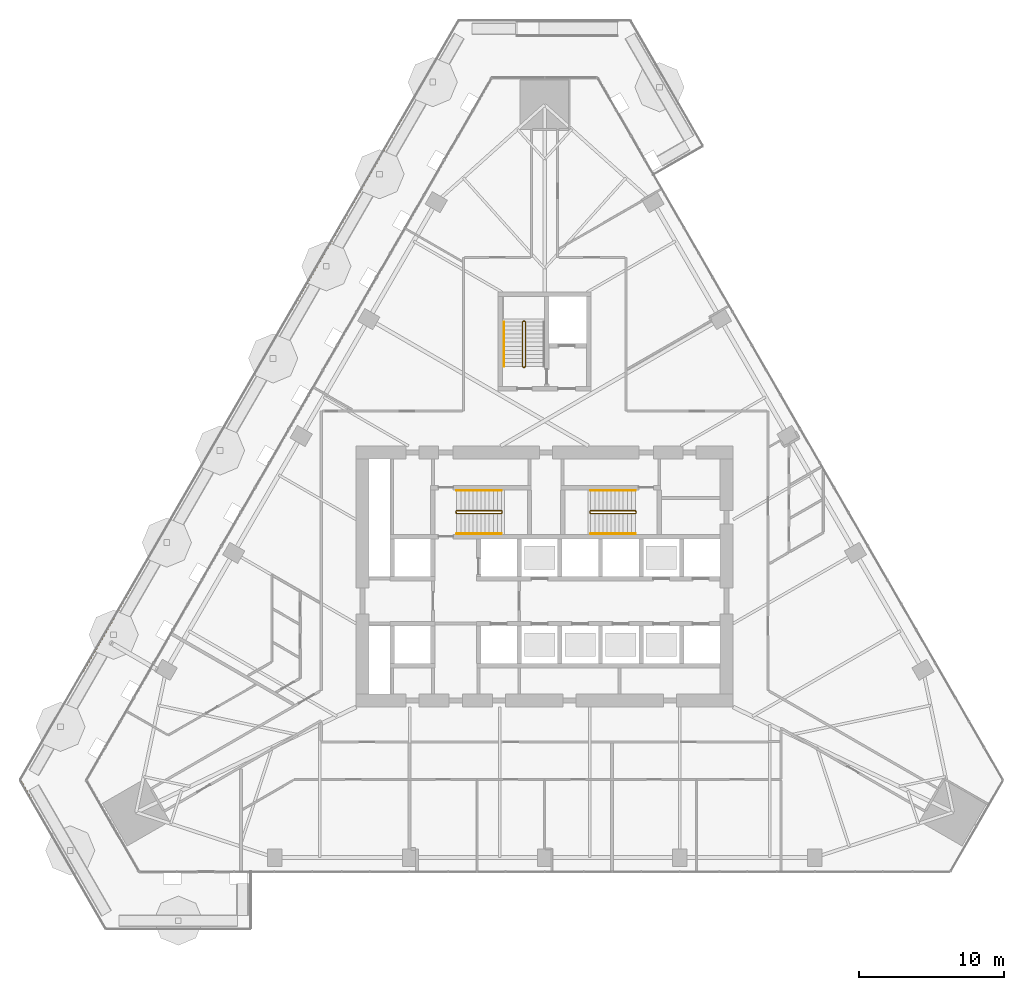
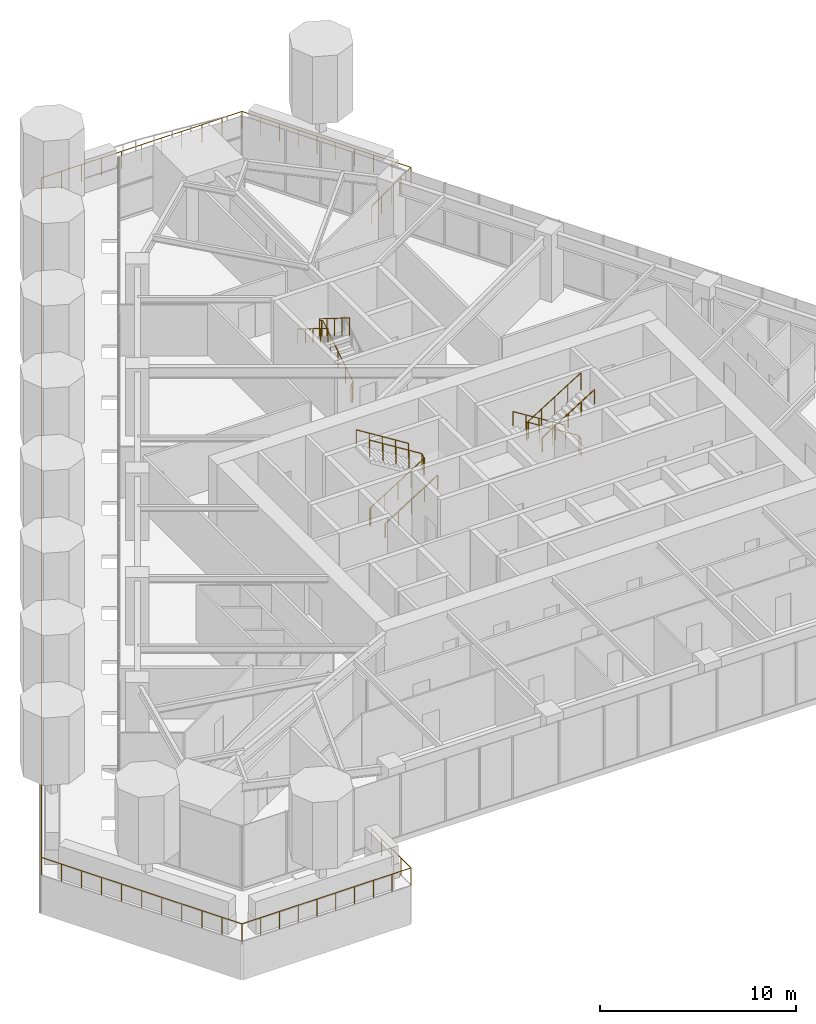
# One storey, part 22 of 25: 9 railings.
"""IFC4 building model written with IfcOpenShell, lengths in metres."""

from ifc_helpers import new_model, si_unit, direction, frame, origin, origin_2d, place, context, subcontext, project, spatial, circle, extrude, material, type_object, element, save


model = new_model("IFC4")

# Units and contexts
model_context = context("Model", 3, precision=1e-05, world=origin(), true_north=direction((0.0, 1.0)))
body_context = subcontext(model_context, "Body", "Model", "MODEL_VIEW")
ifc_project = project(units=[si_unit("LENGTHUNIT", "METRE"), si_unit("AREAUNIT", "SQUARE_METRE"), si_unit("VOLUMEUNIT", "CUBIC_METRE"), si_unit("PLANEANGLEUNIT", "RADIAN"), si_unit("MASSUNIT", "GRAM", prefix="KILO")], contexts=[model_context])

# Site, building, storey
site_placement = place(None, origin())
site = spatial("IfcSite", under=ifc_project, at=site_placement, CompositionType="ELEMENT")
building_placement = place(site_placement, origin())
building = spatial("IfcBuilding", under=site, at=building_placement, Name="Firuza Gate Tower and Library", CompositionType="ELEMENT")
storey_placement = place(building_placement, frame((0.0, 0.0, 119.800048828125)))
storey = spatial("IfcBuildingStorey", under=building, at=storey_placement, Name="L27", CompositionType="ELEMENT", Elevation=119.800048828125)

# Railings
ifc_material_1 = material(Name="Steel S355", Category="steel")
railing_type_1 = type_object("IfcRailingType", Name="Stair guard 1100", PredefinedType="GUARDRAIL", material=ifc_material_1)
railing_1_placement = place(storey_placement, frame((68.889892578125, 79.389892578125, 0.0)))
element("IfcRailing", 1, at=railing_1_placement, inside=storey, type_object=railing_type_1, Name="L27 ST1 stair guard 1", PredefinedType="GUARDRAIL", context=body_context, shape_type="SweptSolid", body=[
    extrude(circle(Radius=0.02392578125, at=origin_2d()), frame((0.0, 0.0, 1.076171875), z_axis=(0.0, 1.0, 0.0), x_axis=(-1.0, 0.0, 0.0)), (0.0, 0.0, 1.0), 0.10009765625),
    extrude(circle(Radius=0.02392578125, at=origin_2d()), frame((0.0, 0.10009765625, 1.076171875), z_axis=(0.21222055169, -0.635626432867, 0.742254319813), x_axis=(0.948528701346, 0.316691178788, 0.0)), (0.0, 0.0, 1.0), 0.23583984375),
    extrude(circle(Radius=0.02392578125, at=origin_2d()), frame((0.050048828125, -0.0498046875, 1.2509765625), z_axis=(0.848028513186, 0.0, 0.529950602248), x_axis=(0.0, 1.0, 0.0)), (0.0, 0.0, 1.0), 3.632080078125),
    extrude(circle(Radius=0.02392578125, at=origin_2d()), frame((3.130126953125, -0.0498046875, 3.17578125), z_axis=(0.708833529934, 0.705375805398, 0.0), x_axis=(-0.705375805398, 0.708833529934, 0.0)), (0.0, 0.0, 1.0), 0.070556640625),
    extrude(circle(Radius=0.02392578125, at=origin_2d()), frame((3.18017578125, 0.0, 3.17578125), z_axis=(0.0, 1.0, 0.0), x_axis=(-1.0, 0.0, 0.0)), (0.0, 0.0, 1.0), 0.10009765625),
    extrude(circle(Radius=0.02392578125, at=origin_2d()), frame((3.18017578125, 0.10009765625, 3.17578125), z_axis=(-0.265065253269, 0.265065253269, 0.927081885822), x_axis=(-0.707106781187, -0.707106781187, 0.0)), (0.0, 0.0, 1.0), 0.188720703125),
    extrude(circle(Radius=0.02392578125, at=origin_2d()), frame((3.130126953125, 0.150146484375, 3.35107421875), z_axis=(-0.847998304005, 0.0, 0.529998940003), x_axis=(0.0, -1.0, 0.0)), (0.0, 0.0, 1.0), 3.632080078125),
    extrude(circle(Radius=0.02099609375, at=origin_2d()), origin(), (0.0, 0.0, 1.0), 1.052001953125),
    extrude(circle(Radius=0.02099609375, at=origin_2d()), frame((0.0, 0.10009765625, 0.0)), (0.0, 0.0, 1.0), 1.052001953125),
    extrude(circle(Radius=0.02099609375, at=origin_2d()), frame((0.050048828125, -0.0498046875, 0.175048828125)), (0.0, 0.0, 1.0), 1.052001953125),
    extrude(circle(Radius=0.02099609375, at=origin_2d()), frame((0.820068359375, -0.0498046875, 0.65625)), (0.0, 0.0, 1.0), 1.052001953125),
    extrude(circle(Radius=0.02099609375, at=origin_2d()), frame((1.590087890625, -0.0498046875, 1.137451171875)), (0.0, 0.0, 1.0), 1.052001953125),
    extrude(circle(Radius=0.02099609375, at=origin_2d()), frame((2.360107421875, -0.0498046875, 1.61865234375)), (0.0, 0.0, 1.0), 1.052001953125),
    extrude(circle(Radius=0.02099609375, at=origin_2d()), frame((3.130126953125, -0.0498046875, 2.099853515625)), (0.0, 0.0, 1.0), 1.052001953125),
    extrude(circle(Radius=0.02099609375, at=origin_2d()), frame((3.18017578125, 0.0, 2.099853515625)), (0.0, 0.0, 1.0), 1.052001953125),
    extrude(circle(Radius=0.02099609375, at=origin_2d()), frame((3.18017578125, 0.10009765625, 2.099853515625)), (0.0, 0.0, 1.0), 1.052001953125),
    extrude(circle(Radius=0.02099609375, at=origin_2d()), frame((3.130126953125, 0.150146484375, 2.27490234375)), (0.0, 0.0, 1.0), 1.052001953125),
    extrude(circle(Radius=0.02099609375, at=origin_2d()), frame((2.360107421875, 0.150146484375, 2.756103515625)), (0.0, 0.0, 1.0), 1.052001953125),
    extrude(circle(Radius=0.02099609375, at=origin_2d()), frame((1.590087890625, 0.150146484375, 3.2373046875)), (0.0, 0.0, 1.0), 1.052001953125),
    extrude(circle(Radius=0.02099609375, at=origin_2d()), frame((0.820068359375, 0.150146484375, 3.71875)), (0.0, 0.0, 1.0), 1.052001953125),
    extrude(circle(Radius=0.02099609375, at=origin_2d()), frame((0.050048828125, 0.150146484375, 4.199951171875)), (0.0, 0.0, 1.0), 1.052001953125),
])
railing_2_placement = place(storey_placement, frame((81.31005859375, 79.489990234375, 0.0)))
element("IfcRailing", 2, at=railing_2_placement, inside=storey, type_object=railing_type_1, Name="L27 ST2 stair guard 1", PredefinedType="GUARDRAIL", context=body_context, shape_type="SweptSolid", body=[
    extrude(circle(Radius=0.02392578125, at=origin_2d()), frame((0.0, 0.0, 1.076171875), z_axis=(0.0, -1.0, 0.0), x_axis=(1.0, 0.0, 0.0)), (0.0, 0.0, 1.0), 0.10009765625),
    extrude(circle(Radius=0.02392578125, at=origin_2d()), frame((0.0, -0.10009765625, 1.076171875), z_axis=(-0.212080931658, 0.636242794973, 0.741765990237), x_axis=(-0.948683298051, -0.316227766017, 0.0)), (0.0, 0.0, 1.0), 0.236083984375),
    extrude(circle(Radius=0.02392578125, at=origin_2d()), frame((-0.050048828125, 0.050048828125, 1.2509765625), z_axis=(-0.848028513186, 0.0, 0.529950602248), x_axis=(0.0, -1.0, 0.0)), (0.0, 0.0, 1.0), 3.632080078125),
    extrude(circle(Radius=0.02392578125, at=origin_2d()), frame((-3.130126953125, 0.050048828125, 3.17578125), z_axis=(-0.707106781187, -0.707106781187, 0.0), x_axis=(0.707106781187, -0.707106781187, 0.0)), (0.0, 0.0, 1.0), 0.07080078125),
    extrude(circle(Radius=0.02392578125, at=origin_2d()), frame((-3.18017578125, 0.0, 3.17578125), z_axis=(0.0, -1.0, 0.0), x_axis=(1.0, 0.0, 0.0)), (0.0, 0.0, 1.0), 0.10009765625),
    extrude(circle(Radius=0.02392578125, at=origin_2d()), frame((-3.18017578125, -0.10009765625, 3.17578125), z_axis=(0.265155923931, -0.263862480399, 0.927399011991), x_axis=(0.705375805398, 0.708833529934, 0.0)), (0.0, 0.0, 1.0), 0.188720703125),
    extrude(circle(Radius=0.02392578125, at=origin_2d()), frame((-3.130126953125, -0.14990234375, 3.35107421875), z_axis=(0.847998304005, 0.0, 0.529998940003), x_axis=(0.0, 1.0, 0.0)), (0.0, 0.0, 1.0), 3.632080078125),
    extrude(circle(Radius=0.02099609375, at=origin_2d()), origin(), (0.0, 0.0, 1.0), 1.052001953125),
    extrude(circle(Radius=0.02099609375, at=origin_2d()), frame((0.0, -0.10009765625, 0.0)), (0.0, 0.0, 1.0), 1.052001953125),
    extrude(circle(Radius=0.02099609375, at=origin_2d()), frame((-0.050048828125, 0.050048828125, 0.175048828125)), (0.0, 0.0, 1.0), 1.052001953125),
    extrude(circle(Radius=0.02099609375, at=origin_2d()), frame((-0.820068359375, 0.050048828125, 0.65625)), (0.0, 0.0, 1.0), 1.052001953125),
    extrude(circle(Radius=0.02099609375, at=origin_2d()), frame((-1.590087890625, 0.050048828125, 1.137451171875)), (0.0, 0.0, 1.0), 1.052001953125),
    extrude(circle(Radius=0.02099609375, at=origin_2d()), frame((-2.360107421875, 0.050048828125, 1.61865234375)), (0.0, 0.0, 1.0), 1.052001953125),
    extrude(circle(Radius=0.02099609375, at=origin_2d()), frame((-3.130126953125, 0.050048828125, 2.099853515625)), (0.0, 0.0, 1.0), 1.052001953125),
    extrude(circle(Radius=0.02099609375, at=origin_2d()), frame((-3.18017578125, 0.0, 2.099853515625)), (0.0, 0.0, 1.0), 1.052001953125),
    extrude(circle(Radius=0.02099609375, at=origin_2d()), frame((-3.18017578125, -0.10009765625, 2.099853515625)), (0.0, 0.0, 1.0), 1.052001953125),
    extrude(circle(Radius=0.02099609375, at=origin_2d()), frame((-3.130126953125, -0.14990234375, 2.27490234375)), (0.0, 0.0, 1.0), 1.052001953125),
    extrude(circle(Radius=0.02099609375, at=origin_2d()), frame((-2.360107421875, -0.14990234375, 2.756103515625)), (0.0, 0.0, 1.0), 1.052001953125),
    extrude(circle(Radius=0.02099609375, at=origin_2d()), frame((-1.590087890625, -0.14990234375, 3.2373046875)), (0.0, 0.0, 1.0), 1.052001953125),
    extrude(circle(Radius=0.02099609375, at=origin_2d()), frame((-0.820068359375, -0.14990234375, 3.71875)), (0.0, 0.0, 1.0), 1.052001953125),
    extrude(circle(Radius=0.02099609375, at=origin_2d()), frame((-0.050048828125, -0.14990234375, 4.199951171875)), (0.0, 0.0, 1.0), 1.052001953125),
])
railing_3_placement = place(storey_placement, frame((73.6298828125, 89.419921875, 0.0)))
element("IfcRailing", 3, at=railing_3_placement, inside=storey, type_object=railing_type_1, Name="L27 ST3 stair guard 1", PredefinedType="GUARDRAIL", context=body_context, shape_type="SweptSolid", body=[
    extrude(circle(Radius=0.02392578125, at=origin_2d()), frame((0.0, 0.0, 1.076171875), z_axis=(-1.0, 0.0, 0.0), x_axis=(0.0, -1.0, 0.0)), (0.0, 0.0, 1.0), 0.099853515625),
    extrude(circle(Radius=0.02392578125, at=origin_2d()), frame((-0.099853515625, 0.0, 1.076171875), z_axis=(0.635626432867, 0.21222055169, 0.742254319813), x_axis=(-0.316691178788, 0.948528701346, 0.0)), (0.0, 0.0, 1.0), 0.23583984375),
    extrude(circle(Radius=0.02392578125, at=origin_2d()), frame((0.050048828125, 0.050048828125, 1.2509765625), z_axis=(0.0, 0.848028513186, 0.529950602248), x_axis=(-1.0, 0.0, 0.0)), (0.0, 0.0, 1.0), 3.632080078125),
    extrude(circle(Radius=0.02392578125, at=origin_2d()), frame((0.050048828125, 3.130126953125, 3.17578125), z_axis=(-0.707106781187, 0.707106781187, 0.0), x_axis=(-0.707106781187, -0.707106781187, 0.0)), (0.0, 0.0, 1.0), 0.07080078125),
    extrude(circle(Radius=0.02392578125, at=origin_2d()), frame((0.0, 3.18017578125, 3.17578125), z_axis=(-1.0, 0.0, 0.0), x_axis=(0.0, -1.0, 0.0)), (0.0, 0.0, 1.0), 0.099853515625),
    extrude(circle(Radius=0.02392578125, at=origin_2d()), frame((-0.099853515625, 3.18017578125, 3.17578125), z_axis=(-0.265065253269, -0.265065253269, 0.927081885822), x_axis=(0.707106781187, -0.707106781187, 0.0)), (0.0, 0.0, 1.0), 0.188720703125),
    extrude(circle(Radius=0.02392578125, at=origin_2d()), frame((-0.14990234375, 3.130126953125, 3.35107421875), z_axis=(0.0, -0.847998304005, 0.529998940003), x_axis=(1.0, 0.0, 0.0)), (0.0, 0.0, 1.0), 3.632080078125),
    extrude(circle(Radius=0.02099609375, at=origin_2d()), origin(), (0.0, 0.0, 1.0), 1.052001953125),
    extrude(circle(Radius=0.02099609375, at=origin_2d()), frame((-0.099853515625, 0.0, 0.0)), (0.0, 0.0, 1.0), 1.052001953125),
    extrude(circle(Radius=0.02099609375, at=origin_2d()), frame((0.050048828125, 0.050048828125, 0.175048828125)), (0.0, 0.0, 1.0), 1.052001953125),
    extrude(circle(Radius=0.02099609375, at=origin_2d()), frame((0.050048828125, 0.820068359375, 0.65625)), (0.0, 0.0, 1.0), 1.052001953125),
    extrude(circle(Radius=0.02099609375, at=origin_2d()), frame((0.050048828125, 1.590087890625, 1.137451171875)), (0.0, 0.0, 1.0), 1.052001953125),
    extrude(circle(Radius=0.02099609375, at=origin_2d()), frame((0.050048828125, 2.360107421875, 1.61865234375)), (0.0, 0.0, 1.0), 1.052001953125),
    extrude(circle(Radius=0.02099609375, at=origin_2d()), frame((0.050048828125, 3.130126953125, 2.099853515625)), (0.0, 0.0, 1.0), 1.052001953125),
    extrude(circle(Radius=0.02099609375, at=origin_2d()), frame((0.0, 3.18017578125, 2.099853515625)), (0.0, 0.0, 1.0), 1.052001953125),
    extrude(circle(Radius=0.02099609375, at=origin_2d()), frame((-0.099853515625, 3.18017578125, 2.099853515625)), (0.0, 0.0, 1.0), 1.052001953125),
    extrude(circle(Radius=0.02099609375, at=origin_2d()), frame((-0.14990234375, 3.130126953125, 2.27490234375)), (0.0, 0.0, 1.0), 1.052001953125),
    extrude(circle(Radius=0.02099609375, at=origin_2d()), frame((-0.14990234375, 2.360107421875, 2.756103515625)), (0.0, 0.0, 1.0), 1.052001953125),
    extrude(circle(Radius=0.02099609375, at=origin_2d()), frame((-0.14990234375, 1.590087890625, 3.2373046875)), (0.0, 0.0, 1.0), 1.052001953125),
    extrude(circle(Radius=0.02099609375, at=origin_2d()), frame((-0.14990234375, 0.820068359375, 3.71875)), (0.0, 0.0, 1.0), 1.052001953125),
    extrude(circle(Radius=0.02099609375, at=origin_2d()), frame((-0.14990234375, 0.050048828125, 4.199951171875)), (0.0, 0.0, 1.0), 1.052001953125),
])
ifc_material_2 = material(Name="Steel S355", Category="steel")
railing_type_2 = type_object("IfcRailingType", Name="Stair handrail 900", PredefinedType="HANDRAIL", material=ifc_material_2)
railing_4_placement = place(storey_placement, frame((68.93994140625, 77.949951171875, 0.175048828125)))
element("IfcRailing", 4, at=railing_4_placement, inside=storey, type_object=railing_type_2, Name="L27 ST1 stair handrail 1", PredefinedType="HANDRAIL", context=body_context, shape_type="SweptSolid", body=[
    extrude(circle(Radius=0.02392578125, at=origin_2d()), frame((0.0, 0.0, 0.8759765625), z_axis=(0.848028513186, 0.0, 0.529950602248), x_axis=(0.0, 1.0, 0.0)), (0.0, 0.0, 1.0), 3.632080078125),
    extrude(circle(Radius=0.02099609375, at=origin_2d()), origin(), (0.0, 0.0, 1.0), 0.851806640625),
    extrude(circle(Radius=0.02099609375, at=origin_2d()), frame((0.77001953125, 0.0, 0.481201171875)), (0.0, 0.0, 1.0), 0.851806640625),
    extrude(circle(Radius=0.02099609375, at=origin_2d()), frame((1.5400390625, 0.0, 0.96240234375)), (0.0, 0.0, 1.0), 0.851806640625),
    extrude(circle(Radius=0.02099609375, at=origin_2d()), frame((2.31005859375, 0.0, 1.443603515625)), (0.0, 0.0, 1.0), 0.851806640625),
    extrude(circle(Radius=0.02099609375, at=origin_2d()), frame((3.080078125, 0.0, 1.9248046875)), (0.0, 0.0, 1.0), 0.851806640625),
])
railing_5_placement = place(storey_placement, frame((72.02001953125, 80.929931640625, 2.27490234375)))
element("IfcRailing", 5, at=railing_5_placement, inside=storey, type_object=railing_type_2, Name="L27 ST1 stair handrail 2", PredefinedType="HANDRAIL", context=body_context, shape_type="SweptSolid", body=[
    extrude(circle(Radius=0.02392578125, at=origin_2d()), frame((0.0, 0.0, 0.8759765625), z_axis=(-0.847998304005, 0.0, 0.529998940003), x_axis=(0.0, -1.0, 0.0)), (0.0, 0.0, 1.0), 3.632080078125),
    extrude(circle(Radius=0.02099609375, at=origin_2d()), origin(), (0.0, 0.0, 1.0), 0.851806640625),
    extrude(circle(Radius=0.02099609375, at=origin_2d()), frame((-0.77001953125, 0.0, 0.481201171875)), (0.0, 0.0, 1.0), 0.851806640625),
    extrude(circle(Radius=0.02099609375, at=origin_2d()), frame((-1.5400390625, 0.0, 0.96240234375)), (0.0, 0.0, 1.0), 0.851806640625),
    extrude(circle(Radius=0.02099609375, at=origin_2d()), frame((-2.31005859375, 0.0, 1.44384765625)), (0.0, 0.0, 1.0), 0.851806640625),
    extrude(circle(Radius=0.02099609375, at=origin_2d()), frame((-3.080078125, 0.0, 1.925048828125)), (0.0, 0.0, 1.0), 0.851806640625),
])
railing_6_placement = place(storey_placement, frame((81.260009765625, 80.929931640625, 0.175048828125)))
element("IfcRailing", 6, at=railing_6_placement, inside=storey, type_object=railing_type_2, Name="L27 ST2 stair handrail 1", PredefinedType="HANDRAIL", context=body_context, shape_type="SweptSolid", body=[
    extrude(circle(Radius=0.02392578125, at=origin_2d()), frame((0.0, 0.0, 0.8759765625), z_axis=(-0.848028513186, 0.0, 0.529950602248), x_axis=(0.0, -1.0, 0.0)), (0.0, 0.0, 1.0), 3.632080078125),
    extrude(circle(Radius=0.02099609375, at=origin_2d()), origin(), (0.0, 0.0, 1.0), 0.851806640625),
    extrude(circle(Radius=0.02099609375, at=origin_2d()), frame((-0.77001953125, 0.0, 0.481201171875)), (0.0, 0.0, 1.0), 0.851806640625),
    extrude(circle(Radius=0.02099609375, at=origin_2d()), frame((-1.5400390625, 0.0, 0.96240234375)), (0.0, 0.0, 1.0), 0.851806640625),
    extrude(circle(Radius=0.02099609375, at=origin_2d()), frame((-2.31005859375, 0.0, 1.443603515625)), (0.0, 0.0, 1.0), 0.851806640625),
    extrude(circle(Radius=0.02099609375, at=origin_2d()), frame((-3.080078125, 0.0, 1.9248046875)), (0.0, 0.0, 1.0), 0.851806640625),
])
railing_7_placement = place(storey_placement, frame((78.179931640625, 77.949951171875, 2.27490234375)))
element("IfcRailing", 7, at=railing_7_placement, inside=storey, type_object=railing_type_2, Name="L27 ST2 stair handrail 2", PredefinedType="HANDRAIL", context=body_context, shape_type="SweptSolid", body=[
    extrude(circle(Radius=0.02392578125, at=origin_2d()), frame((0.0, 0.0, 0.8759765625), z_axis=(0.847998304005, 0.0, 0.529998940003), x_axis=(0.0, 1.0, 0.0)), (0.0, 0.0, 1.0), 3.632080078125),
    extrude(circle(Radius=0.02099609375, at=origin_2d()), origin(), (0.0, 0.0, 1.0), 0.851806640625),
    extrude(circle(Radius=0.02099609375, at=origin_2d()), frame((0.77001953125, 0.0, 0.481201171875)), (0.0, 0.0, 1.0), 0.851806640625),
    extrude(circle(Radius=0.02099609375, at=origin_2d()), frame((1.5400390625, 0.0, 0.96240234375)), (0.0, 0.0, 1.0), 0.851806640625),
    extrude(circle(Radius=0.02099609375, at=origin_2d()), frame((2.31005859375, 0.0, 1.44384765625)), (0.0, 0.0, 1.0), 0.851806640625),
    extrude(circle(Radius=0.02099609375, at=origin_2d()), frame((3.080078125, 0.0, 1.925048828125)), (0.0, 0.0, 1.0), 0.851806640625),
])
railing_8_placement = place(storey_placement, frame((72.2099609375, 92.550048828125, 2.27490234375)))
element("IfcRailing", 8, at=railing_8_placement, inside=storey, type_object=railing_type_2, Name="L27 ST3 stair handrail 2", PredefinedType="HANDRAIL", context=body_context, shape_type="SweptSolid", body=[
    extrude(circle(Radius=0.02392578125, at=origin_2d()), frame((0.0, 0.0, 0.8759765625), z_axis=(0.0, -0.847998304005, 0.529998940003), x_axis=(1.0, 0.0, 0.0)), (0.0, 0.0, 1.0), 3.632080078125),
    extrude(circle(Radius=0.02099609375, at=origin_2d()), origin(), (0.0, 0.0, 1.0), 0.851806640625),
    extrude(circle(Radius=0.02099609375, at=origin_2d()), frame((0.0, -0.77001953125, 0.481201171875)), (0.0, 0.0, 1.0), 0.851806640625),
    extrude(circle(Radius=0.02099609375, at=origin_2d()), frame((0.0, -1.5400390625, 0.96240234375)), (0.0, 0.0, 1.0), 0.851806640625),
    extrude(circle(Radius=0.02099609375, at=origin_2d()), frame((0.0, -2.31005859375, 1.44384765625)), (0.0, 0.0, 1.0), 0.851806640625),
    extrude(circle(Radius=0.02099609375, at=origin_2d()), frame((0.0, -3.080078125, 1.925048828125)), (0.0, 0.0, 1.0), 0.851806640625),
])
ifc_material_3 = material(Name="Steel S355", Category="steel")
railing_type_3 = type_object("IfcRailingType", Name="Terrace guard 1100", PredefinedType="GUARDRAIL", material=ifc_material_3)
railing_9_placement = place(storey_placement, frame((82.420654296875, 102.694580078125, 0.0)))
element("IfcRailing", 9, at=railing_9_placement, inside=storey, type_object=railing_type_3, Name="Tray guard L27", PredefinedType="GUARDRAIL", context=body_context, shape_type="SweptSolid", body=[
    extrude(circle(Radius=0.02392578125, at=origin_2d()), frame((0.0, 0.0, 1.076171875), z_axis=(0.866026010844, 0.49999894854, 0.0), x_axis=(-0.49999894854, 0.866026010844, 0.0)), (0.0, 0.0, 1.0), 4.0),
    extrude(circle(Radius=0.02392578125, at=origin_2d()), frame((3.464111328125, 2.0, 1.076171875), z_axis=(-0.500004923278, 0.86602256131, 0.0), x_axis=(-0.86602256131, -0.500004923278, 0.0)), (0.0, 0.0, 1.0), 9.95068359375),
    extrude(circle(Radius=0.02392578125, at=origin_2d()), frame((-1.51123046875, 10.617431640625, 1.076171875), z_axis=(-1.0, 0.0, 0.0), x_axis=(0.0, -1.0, 0.0)), (0.0, 0.0, 1.0), 11.81884765625),
    extrude(circle(Radius=0.02392578125, at=origin_2d()), frame((-13.330078125, 10.617431640625, 1.076171875), z_axis=(-0.500001556431, -0.866024505177, 0.0), x_axis=(0.866024505177, -0.500001556431, 0.0)), (0.0, 0.0, 1.0), 60.448974609375),
    extrude(circle(Radius=0.02392578125, at=origin_2d()), frame((-43.5546875, -41.73291015625, 1.076171875), z_axis=(0.500002592159, -0.866023907196, 0.0), x_axis=(0.866023907196, 0.500002592159, 0.0)), (0.0, 0.0, 1.0), 11.81884765625),
    extrude(circle(Radius=0.02392578125, at=origin_2d()), frame((-37.645263671875, -51.96826171875, 1.076171875), z_axis=(1.0, 0.0, 0.0), x_axis=(0.0, 1.0, 0.0)), (0.0, 0.0, 1.0), 9.950927734375),
    extrude(circle(Radius=0.02392578125, at=origin_2d()), frame((-27.6943359375, -51.96826171875, 1.076171875), z_axis=(0.0, 1.0, 0.0), x_axis=(-1.0, 0.0, 0.0)), (0.0, 0.0, 1.0), 4.0),
    extrude(circle(Radius=0.02099609375, at=origin_2d()), origin(), (0.0, 0.0, 1.0), 1.052001953125),
    extrude(circle(Radius=0.02099609375, at=origin_2d()), frame((0.865966796875, 0.5, 0.0)), (0.0, 0.0, 1.0), 1.052001953125),
    extrude(circle(Radius=0.02099609375, at=origin_2d()), frame((1.73193359375, 1.0, 0.0)), (0.0, 0.0, 1.0), 1.052001953125),
    extrude(circle(Radius=0.02099609375, at=origin_2d()), frame((2.59814453125, 1.5, 0.0)), (0.0, 0.0, 1.0), 1.052001953125),
    extrude(circle(Radius=0.02099609375, at=origin_2d()), frame((3.464111328125, 2.0, 0.0)), (0.0, 0.0, 1.0), 1.052001953125),
    extrude(circle(Radius=0.02099609375, at=origin_2d()), frame((2.911376953125, 2.95751953125, 0.0)), (0.0, 0.0, 1.0), 1.052001953125),
    extrude(circle(Radius=0.02099609375, at=origin_2d()), frame((2.3583984375, 3.9150390625, 0.0)), (0.0, 0.0, 1.0), 1.052001953125),
    extrude(circle(Radius=0.02099609375, at=origin_2d()), frame((1.8056640625, 4.87255859375, 0.0)), (0.0, 0.0, 1.0), 1.052001953125),
    extrude(circle(Radius=0.02099609375, at=origin_2d()), frame((1.2529296875, 5.830078125, 0.0)), (0.0, 0.0, 1.0), 1.052001953125),
    extrude(circle(Radius=0.02099609375, at=origin_2d()), frame((0.699951171875, 6.787353515625, 0.0)), (0.0, 0.0, 1.0), 1.052001953125),
    extrude(circle(Radius=0.02099609375, at=origin_2d()), frame((0.147216796875, 7.744873046875, 0.0)), (0.0, 0.0, 1.0), 1.052001953125),
    extrude(circle(Radius=0.02099609375, at=origin_2d()), frame((-0.405517578125, 8.702392578125, 0.0)), (0.0, 0.0, 1.0), 1.052001953125),
    extrude(circle(Radius=0.02099609375, at=origin_2d()), frame((-0.95849609375, 9.659912109375, 0.0)), (0.0, 0.0, 1.0), 1.052001953125),
    extrude(circle(Radius=0.02099609375, at=origin_2d()), frame((-1.51123046875, 10.617431640625, 0.0)), (0.0, 0.0, 1.0), 1.052001953125),
    extrude(circle(Radius=0.02099609375, at=origin_2d()), frame((-2.693115234375, 10.617431640625, 0.0)), (0.0, 0.0, 1.0), 1.052001953125),
    extrude(circle(Radius=0.02099609375, at=origin_2d()), frame((-3.875, 10.617431640625, 0.0)), (0.0, 0.0, 1.0), 1.052001953125),
    extrude(circle(Radius=0.02099609375, at=origin_2d()), frame((-5.056884765625, 10.617431640625, 0.0)), (0.0, 0.0, 1.0), 1.052001953125),
    extrude(circle(Radius=0.02099609375, at=origin_2d()), frame((-6.23876953125, 10.617431640625, 0.0)), (0.0, 0.0, 1.0), 1.052001953125),
    extrude(circle(Radius=0.02099609375, at=origin_2d()), frame((-7.420654296875, 10.617431640625, 0.0)), (0.0, 0.0, 1.0), 1.052001953125),
    extrude(circle(Radius=0.02099609375, at=origin_2d()), frame((-8.6025390625, 10.617431640625, 0.0)), (0.0, 0.0, 1.0), 1.052001953125),
    extrude(circle(Radius=0.02099609375, at=origin_2d()), frame((-9.784423828125, 10.617431640625, 0.0)), (0.0, 0.0, 1.0), 1.052001953125),
    extrude(circle(Radius=0.02099609375, at=origin_2d()), frame((-10.96630859375, 10.617431640625, 0.0)), (0.0, 0.0, 1.0), 1.052001953125),
    extrude(circle(Radius=0.02099609375, at=origin_2d()), frame((-12.148193359375, 10.617431640625, 0.0)), (0.0, 0.0, 1.0), 1.052001953125),
    extrude(circle(Radius=0.02099609375, at=origin_2d()), frame((-13.330078125, 10.617431640625, 0.0)), (0.0, 0.0, 1.0), 1.052001953125),
    extrude(circle(Radius=0.02099609375, at=origin_2d()), frame((-13.922607421875, 9.591064453125, 0.0)), (0.0, 0.0, 1.0), 1.052001953125),
    extrude(circle(Radius=0.02099609375, at=origin_2d()), frame((-14.515380859375, 8.564453125, 0.0)), (0.0, 0.0, 1.0), 1.052001953125),
    extrude(circle(Radius=0.02099609375, at=origin_2d()), frame((-15.10791015625, 7.5380859375, 0.0)), (0.0, 0.0, 1.0), 1.052001953125),
    extrude(circle(Radius=0.02099609375, at=origin_2d()), frame((-15.70068359375, 6.511474609375, 0.0)), (0.0, 0.0, 1.0), 1.052001953125),
    extrude(circle(Radius=0.02099609375, at=origin_2d()), frame((-16.293212890625, 5.485107421875, 0.0)), (0.0, 0.0, 1.0), 1.052001953125),
    extrude(circle(Radius=0.02099609375, at=origin_2d()), frame((-16.885986328125, 4.45849609375, 0.0)), (0.0, 0.0, 1.0), 1.052001953125),
    extrude(circle(Radius=0.02099609375, at=origin_2d()), frame((-17.478515625, 3.43212890625, 0.0)), (0.0, 0.0, 1.0), 1.052001953125),
    extrude(circle(Radius=0.02099609375, at=origin_2d()), frame((-18.0712890625, 2.405517578125, 0.0)), (0.0, 0.0, 1.0), 1.052001953125),
    extrude(circle(Radius=0.02099609375, at=origin_2d()), frame((-18.663818359375, 1.379150390625, 0.0)), (0.0, 0.0, 1.0), 1.052001953125),
    extrude(circle(Radius=0.02099609375, at=origin_2d()), frame((-19.256591796875, 0.3525390625, 0.0)), (0.0, 0.0, 1.0), 1.052001953125),
    extrude(circle(Radius=0.02099609375, at=origin_2d()), frame((-19.84912109375, -0.673828125, 0.0)), (0.0, 0.0, 1.0), 1.052001953125),
    extrude(circle(Radius=0.02099609375, at=origin_2d()), frame((-20.441650390625, -1.7001953125, 0.0)), (0.0, 0.0, 1.0), 1.052001953125),
    extrude(circle(Radius=0.02099609375, at=origin_2d()), frame((-21.034423828125, -2.726806640625, 0.0)), (0.0, 0.0, 1.0), 1.052001953125),
    extrude(circle(Radius=0.02099609375, at=origin_2d()), frame((-21.626953125, -3.753173828125, 0.0)), (0.0, 0.0, 1.0), 1.052001953125),
    extrude(circle(Radius=0.02099609375, at=origin_2d()), frame((-22.2197265625, -4.77978515625, 0.0)), (0.0, 0.0, 1.0), 1.052001953125),
    extrude(circle(Radius=0.02099609375, at=origin_2d()), frame((-22.812255859375, -5.80615234375, 0.0)), (0.0, 0.0, 1.0), 1.052001953125),
    extrude(circle(Radius=0.02099609375, at=origin_2d()), frame((-23.405029296875, -6.832763671875, 0.0)), (0.0, 0.0, 1.0), 1.052001953125),
    extrude(circle(Radius=0.02099609375, at=origin_2d()), frame((-23.99755859375, -7.859130859375, 0.0)), (0.0, 0.0, 1.0), 1.052001953125),
    extrude(circle(Radius=0.02099609375, at=origin_2d()), frame((-24.59033203125, -8.8857421875, 0.0)), (0.0, 0.0, 1.0), 1.052001953125),
    extrude(circle(Radius=0.02099609375, at=origin_2d()), frame((-25.182861328125, -9.912109375, 0.0)), (0.0, 0.0, 1.0), 1.052001953125),
    extrude(circle(Radius=0.02099609375, at=origin_2d()), frame((-25.775390625, -10.9384765625, 0.0)), (0.0, 0.0, 1.0), 1.052001953125),
    extrude(circle(Radius=0.02099609375, at=origin_2d()), frame((-26.3681640625, -11.965087890625, 0.0)), (0.0, 0.0, 1.0), 1.052001953125),
    extrude(circle(Radius=0.02099609375, at=origin_2d()), frame((-26.960693359375, -12.991455078125, 0.0)), (0.0, 0.0, 1.0), 1.052001953125),
    extrude(circle(Radius=0.02099609375, at=origin_2d()), frame((-27.553466796875, -14.01806640625, 0.0)), (0.0, 0.0, 1.0), 1.052001953125),
    extrude(circle(Radius=0.02099609375, at=origin_2d()), frame((-28.14599609375, -15.04443359375, 0.0)), (0.0, 0.0, 1.0), 1.052001953125),
    extrude(circle(Radius=0.02099609375, at=origin_2d()), frame((-28.73876953125, -16.071044921875, 0.0)), (0.0, 0.0, 1.0), 1.052001953125),
    extrude(circle(Radius=0.02099609375, at=origin_2d()), frame((-29.331298828125, -17.097412109375, 0.0)), (0.0, 0.0, 1.0), 1.052001953125),
    extrude(circle(Radius=0.02099609375, at=origin_2d()), frame((-29.924072265625, -18.1240234375, 0.0)), (0.0, 0.0, 1.0), 1.052001953125),
    extrude(circle(Radius=0.02099609375, at=origin_2d()), frame((-30.5166015625, -19.150390625, 0.0)), (0.0, 0.0, 1.0), 1.052001953125),
    extrude(circle(Radius=0.02099609375, at=origin_2d()), frame((-31.109375, -20.177001953125, 0.0)), (0.0, 0.0, 1.0), 1.052001953125),
    extrude(circle(Radius=0.02099609375, at=origin_2d()), frame((-31.701904296875, -21.203369140625, 0.0)), (0.0, 0.0, 1.0), 1.052001953125),
    extrude(circle(Radius=0.02099609375, at=origin_2d()), frame((-32.29443359375, -22.229736328125, 0.0)), (0.0, 0.0, 1.0), 1.052001953125),
    extrude(circle(Radius=0.02099609375, at=origin_2d()), frame((-32.88720703125, -23.25634765625, 0.0)), (0.0, 0.0, 1.0), 1.052001953125),
    extrude(circle(Radius=0.02099609375, at=origin_2d()), frame((-33.479736328125, -24.28271484375, 0.0)), (0.0, 0.0, 1.0), 1.052001953125),
    extrude(circle(Radius=0.02099609375, at=origin_2d()), frame((-34.072509765625, -25.309326171875, 0.0)), (0.0, 0.0, 1.0), 1.052001953125),
    extrude(circle(Radius=0.02099609375, at=origin_2d()), frame((-34.6650390625, -26.335693359375, 0.0)), (0.0, 0.0, 1.0), 1.052001953125),
    extrude(circle(Radius=0.02099609375, at=origin_2d()), frame((-35.2578125, -27.3623046875, 0.0)), (0.0, 0.0, 1.0), 1.052001953125),
    extrude(circle(Radius=0.02099609375, at=origin_2d()), frame((-35.850341796875, -28.388671875, 0.0)), (0.0, 0.0, 1.0), 1.052001953125),
    extrude(circle(Radius=0.02099609375, at=origin_2d()), frame((-36.443115234375, -29.415283203125, 0.0)), (0.0, 0.0, 1.0), 1.052001953125),
    extrude(circle(Radius=0.02099609375, at=origin_2d()), frame((-37.03564453125, -30.441650390625, 0.0)), (0.0, 0.0, 1.0), 1.052001953125),
    extrude(circle(Radius=0.02099609375, at=origin_2d()), frame((-37.628173828125, -31.468017578125, 0.0)), (0.0, 0.0, 1.0), 1.052001953125),
    extrude(circle(Radius=0.02099609375, at=origin_2d()), frame((-38.220947265625, -32.49462890625, 0.0)), (0.0, 0.0, 1.0), 1.052001953125),
    extrude(circle(Radius=0.02099609375, at=origin_2d()), frame((-38.8134765625, -33.52099609375, 0.0)), (0.0, 0.0, 1.0), 1.052001953125),
    extrude(circle(Radius=0.02099609375, at=origin_2d()), frame((-39.40625, -34.547607421875, 0.0)), (0.0, 0.0, 1.0), 1.052001953125),
    extrude(circle(Radius=0.02099609375, at=origin_2d()), frame((-39.998779296875, -35.573974609375, 0.0)), (0.0, 0.0, 1.0), 1.052001953125),
    extrude(circle(Radius=0.02099609375, at=origin_2d()), frame((-40.591552734375, -36.6005859375, 0.0)), (0.0, 0.0, 1.0), 1.052001953125),
    extrude(circle(Radius=0.02099609375, at=origin_2d()), frame((-41.18408203125, -37.626953125, 0.0)), (0.0, 0.0, 1.0), 1.052001953125),
    extrude(circle(Radius=0.02099609375, at=origin_2d()), frame((-41.77685546875, -38.653564453125, 0.0)), (0.0, 0.0, 1.0), 1.052001953125),
    extrude(circle(Radius=0.02099609375, at=origin_2d()), frame((-42.369384765625, -39.679931640625, 0.0)), (0.0, 0.0, 1.0), 1.052001953125),
    extrude(circle(Radius=0.02099609375, at=origin_2d()), frame((-42.962158203125, -40.70654296875, 0.0)), (0.0, 0.0, 1.0), 1.052001953125),
    extrude(circle(Radius=0.02099609375, at=origin_2d()), frame((-43.5546875, -41.73291015625, 0.0)), (0.0, 0.0, 1.0), 1.052001953125),
    extrude(circle(Radius=0.02099609375, at=origin_2d()), frame((-42.9638671875, -42.75634765625, 0.0)), (0.0, 0.0, 1.0), 1.052001953125),
    extrude(circle(Radius=0.02099609375, at=origin_2d()), frame((-42.372802734375, -43.780029296875, 0.0)), (0.0, 0.0, 1.0), 1.052001953125),
    extrude(circle(Radius=0.02099609375, at=origin_2d()), frame((-41.78173828125, -44.803466796875, 0.0)), (0.0, 0.0, 1.0), 1.052001953125),
    extrude(circle(Radius=0.02099609375, at=origin_2d()), frame((-41.19091796875, -45.8271484375, 0.0)), (0.0, 0.0, 1.0), 1.052001953125),
    extrude(circle(Radius=0.02099609375, at=origin_2d()), frame((-40.60009765625, -46.8505859375, 0.0)), (0.0, 0.0, 1.0), 1.052001953125),
    extrude(circle(Radius=0.02099609375, at=origin_2d()), frame((-40.009033203125, -47.8740234375, 0.0)), (0.0, 0.0, 1.0), 1.052001953125),
    extrude(circle(Radius=0.02099609375, at=origin_2d()), frame((-39.41796875, -48.897705078125, 0.0)), (0.0, 0.0, 1.0), 1.052001953125),
    extrude(circle(Radius=0.02099609375, at=origin_2d()), frame((-38.8271484375, -49.921142578125, 0.0)), (0.0, 0.0, 1.0), 1.052001953125),
    extrude(circle(Radius=0.02099609375, at=origin_2d()), frame((-38.236328125, -50.94482421875, 0.0)), (0.0, 0.0, 1.0), 1.052001953125),
    extrude(circle(Radius=0.02099609375, at=origin_2d()), frame((-37.645263671875, -51.96826171875, 0.0)), (0.0, 0.0, 1.0), 1.052001953125),
    extrude(circle(Radius=0.02099609375, at=origin_2d()), frame((-36.53955078125, -51.96826171875, 0.0)), (0.0, 0.0, 1.0), 1.052001953125),
    extrude(circle(Radius=0.02099609375, at=origin_2d()), frame((-35.433837890625, -51.96826171875, 0.0)), (0.0, 0.0, 1.0), 1.052001953125),
    extrude(circle(Radius=0.02099609375, at=origin_2d()), frame((-34.328369140625, -51.96826171875, 0.0)), (0.0, 0.0, 1.0), 1.052001953125),
    extrude(circle(Radius=0.02099609375, at=origin_2d()), frame((-33.22265625, -51.96826171875, 0.0)), (0.0, 0.0, 1.0), 1.052001953125),
    extrude(circle(Radius=0.02099609375, at=origin_2d()), frame((-32.116943359375, -51.96826171875, 0.0)), (0.0, 0.0, 1.0), 1.052001953125),
    extrude(circle(Radius=0.02099609375, at=origin_2d()), frame((-31.01123046875, -51.96826171875, 0.0)), (0.0, 0.0, 1.0), 1.052001953125),
    extrude(circle(Radius=0.02099609375, at=origin_2d()), frame((-29.90576171875, -51.96826171875, 0.0)), (0.0, 0.0, 1.0), 1.052001953125),
    extrude(circle(Radius=0.02099609375, at=origin_2d()), frame((-28.800048828125, -51.96826171875, 0.0)), (0.0, 0.0, 1.0), 1.052001953125),
    extrude(circle(Radius=0.02099609375, at=origin_2d()), frame((-27.6943359375, -51.96826171875, 0.0)), (0.0, 0.0, 1.0), 1.052001953125),
    extrude(circle(Radius=0.02099609375, at=origin_2d()), frame((-27.6943359375, -50.96826171875, 0.0)), (0.0, 0.0, 1.0), 1.052001953125),
    extrude(circle(Radius=0.02099609375, at=origin_2d()), frame((-27.6943359375, -49.96826171875, 0.0)), (0.0, 0.0, 1.0), 1.052001953125),
    extrude(circle(Radius=0.02099609375, at=origin_2d()), frame((-27.6943359375, -48.96826171875, 0.0)), (0.0, 0.0, 1.0), 1.052001953125),
    extrude(circle(Radius=0.02099609375, at=origin_2d()), frame((-27.6943359375, -47.96826171875, 0.0)), (0.0, 0.0, 1.0), 1.052001953125),
])

save(model, "model.ifc")
